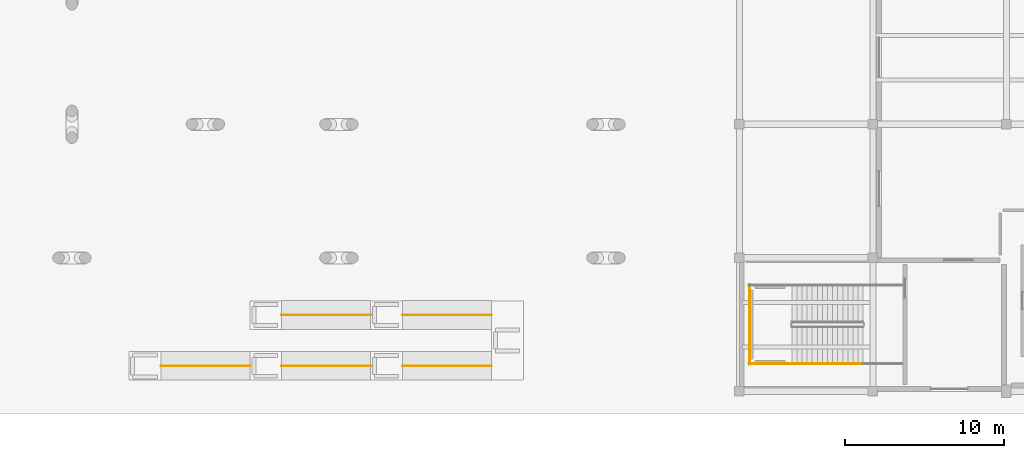
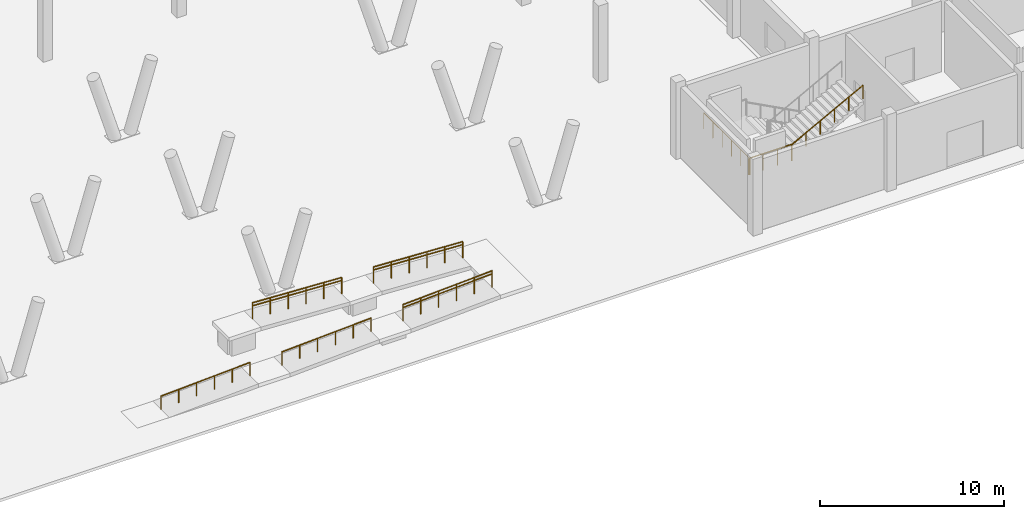
# One storey, part 53 of 64: 11 railings.
"""IFC4 building model written with IfcOpenShell, lengths in metres."""

from ifc_helpers import new_model, si_unit, derived_unit, direction, frame, origin, origin_2d, place, context, subcontext, project, spatial, circle, extrude, material, type_object, element, save


model = new_model("IFC4")

# Units and contexts
model_context = context("Model", 3, precision=1e-05, world=origin(), true_north=direction((0.0, 1.0)))
body_context = subcontext(model_context, "Body", "Model", "MODEL_VIEW")
ifc_project = project(units=[si_unit("LENGTHUNIT", "METRE"), si_unit("AREAUNIT", "SQUARE_METRE"), si_unit("VOLUMEUNIT", "CUBIC_METRE"), si_unit("PLANEANGLEUNIT", "RADIAN"), si_unit("MASSUNIT", "GRAM", prefix="KILO"), derived_unit("THERMALTRANSMITTANCEUNIT", [(si_unit("POWERUNIT", "WATT"), 1), (si_unit("LENGTHUNIT", "METRE"), -2), (si_unit("THERMODYNAMICTEMPERATUREUNIT", "KELVIN"), -1)])], contexts=[model_context])

# Site, building, storey
site_placement = place(None, origin())
site = spatial("IfcSite", under=ifc_project, at=site_placement, CompositionType="ELEMENT")
building_placement = place(site_placement, origin())
building = spatial("IfcBuilding", under=site, at=building_placement, Name="Elbkamm Science Centre", CompositionType="ELEMENT")
storey_placement = place(building_placement, origin())
storey = spatial("IfcBuildingStorey", under=building, at=storey_placement, Name="L00", CompositionType="ELEMENT", Elevation=0.0)

# Railings
ifc_material = material(Name="Stainless steel EN 1.4401", Category="steel")
railing_type_1 = type_object("IfcRailingType", Name="RAIL-GUARD-1100", PredefinedType="GUARDRAIL", material=ifc_material)
railing_1_placement = place(storey_placement, frame((53.699951171875, 1.72998046875, 2.550048828125)))
element("IfcRailing", 1, at=railing_1_placement, inside=storey, type_object=railing_type_1, Name="L00 ST-C6 stair guard 4", PredefinedType="GUARDRAIL", context=body_context, shape_type="SweptSolid", body=[
    extrude(circle(Radius=0.02392578125, at=origin_2d()), frame((0.0, 0.0, 1.078125), z_axis=(-1.0, 0.0, 0.0), x_axis=(0.0, -1.0, 0.0)), (0.0, 0.0, 1.0), 2.699951171875),
    extrude(circle(Radius=0.02001953125, at=origin_2d()), origin(), (0.0, 0.0, 1.0), 1.048095703125),
    extrude(circle(Radius=0.02001953125, at=origin_2d()), frame((-0.89990234375, 0.0, 0.0)), (0.0, 0.0, 1.0), 1.048095703125),
    extrude(circle(Radius=0.02001953125, at=origin_2d()), frame((-1.800048828125, 0.0, 0.0)), (0.0, 0.0, 1.0), 1.048095703125),
    extrude(circle(Radius=0.02001953125, at=origin_2d()), frame((-2.699951171875, 0.0, 0.0)), (0.0, 0.0, 1.0), 1.048095703125),
])
railing_2_placement = place(storey_placement, frame((51.050048828125, 6.719970703125, 2.550048828125)))
element("IfcRailing", 2, at=railing_2_placement, inside=storey, type_object=railing_type_1, Name="L00 ST-C6 stair guard 5", PredefinedType="GUARDRAIL", context=body_context, shape_type="SweptSolid", body=[
    extrude(circle(Radius=0.02392578125, at=origin_2d()), frame((0.0, 0.0, 1.078125), z_axis=(0.0, -1.0, 0.0), x_axis=(1.0, 0.0, 0.0)), (0.0, 0.0, 1.0), 5.0400390625),
    extrude(circle(Radius=0.02001953125, at=origin_2d()), origin(), (0.0, 0.0, 1.0), 1.048095703125),
    extrude(circle(Radius=0.02001953125, at=origin_2d()), frame((0.0, -1.008056640625, 0.0)), (0.0, 0.0, 1.0), 1.048095703125),
    extrude(circle(Radius=0.02001953125, at=origin_2d()), frame((0.0, -2.01611328125, 0.0)), (0.0, 0.0, 1.0), 1.048095703125),
    extrude(circle(Radius=0.02001953125, at=origin_2d()), frame((0.0, -3.02392578125, 0.0)), (0.0, 0.0, 1.0), 1.048095703125),
    extrude(circle(Radius=0.02001953125, at=origin_2d()), frame((0.0, -4.031982421875, 0.0)), (0.0, 0.0, 1.0), 1.048095703125),
    extrude(circle(Radius=0.02001953125, at=origin_2d()), frame((0.0, -5.0400390625, 0.0)), (0.0, 0.0, 1.0), 1.048095703125),
])
railing_3_placement = place(storey_placement, frame((29.199951171875, 1.60009765625, 0.56005859375)))
element("IfcRailing", 3, at=railing_3_placement, inside=storey, type_object=railing_type_1, Name="RMP-03 Edge Guardrail", PredefinedType="GUARDRAIL", context=body_context, shape_type="SweptSolid", body=[
    extrude(circle(Radius=0.02392578125, at=origin_2d()), frame((0.0, 0.0, 1.078125), z_axis=(0.998752121704, 0.0, 0.049941960223), x_axis=(0.0, 1.0, 0.0)), (0.0, 0.0, 1.0), 5.607177734375),
    extrude(circle(Radius=0.02001953125, at=origin_2d()), origin(), (0.0, 0.0, 1.0), 1.048095703125),
    extrude(circle(Radius=0.02001953125, at=origin_2d()), frame((1.1201171875, 0.0, 0.055908203125)), (0.0, 0.0, 1.0), 1.048095703125),
    extrude(circle(Radius=0.02001953125, at=origin_2d()), frame((2.239990234375, 0.0, 0.112060546875)), (0.0, 0.0, 1.0), 1.048095703125),
    extrude(circle(Radius=0.02001953125, at=origin_2d()), frame((3.360107421875, 0.0, 0.16796875)), (0.0, 0.0, 1.0), 1.048095703125),
    extrude(circle(Radius=0.02001953125, at=origin_2d()), frame((4.47998046875, 0.0, 0.22412109375)), (0.0, 0.0, 1.0), 1.048095703125),
    extrude(circle(Radius=0.02001953125, at=origin_2d()), frame((5.60009765625, 0.0, 0.280029296875)), (0.0, 0.0, 1.0), 1.048095703125),
])
railing_4_placement = place(storey_placement, frame((34.800048828125, 4.800048828125, 0.840087890625)))
element("IfcRailing", 4, at=railing_4_placement, inside=storey, type_object=railing_type_1, Name="RMP-04 Edge Guardrail", PredefinedType="GUARDRAIL", context=body_context, shape_type="SweptSolid", body=[
    extrude(circle(Radius=0.02392578125, at=origin_2d()), frame((0.0, 0.0, 1.078125), z_axis=(-0.998752121704, 0.0, 0.049941960223), x_axis=(0.0, -1.0, 0.0)), (0.0, 0.0, 1.0), 5.607177734375),
    extrude(circle(Radius=0.02001953125, at=origin_2d()), origin(), (0.0, 0.0, 1.0), 1.048095703125),
    extrude(circle(Radius=0.02001953125, at=origin_2d()), frame((-1.1201171875, 0.0, 0.055908203125)), (0.0, 0.0, 1.0), 1.048095703125),
    extrude(circle(Radius=0.02001953125, at=origin_2d()), frame((-2.239990234375, 0.0, 0.112060546875)), (0.0, 0.0, 1.0), 1.048095703125),
    extrude(circle(Radius=0.02001953125, at=origin_2d()), frame((-3.360107421875, 0.0, 0.16796875)), (0.0, 0.0, 1.0), 1.048095703125),
    extrude(circle(Radius=0.02001953125, at=origin_2d()), frame((-4.47998046875, 0.0, 0.22412109375)), (0.0, 0.0, 1.0), 1.048095703125),
    extrude(circle(Radius=0.02001953125, at=origin_2d()), frame((-5.60009765625, 0.0, 0.280029296875)), (0.0, 0.0, 1.0), 1.048095703125),
])
railing_5_placement = place(storey_placement, frame((27.199951171875, 4.800048828125, 1.1201171875)))
element("IfcRailing", 5, at=railing_5_placement, inside=storey, type_object=railing_type_1, Name="RMP-05 Edge Guardrail", PredefinedType="GUARDRAIL", context=body_context, shape_type="SweptSolid", body=[
    extrude(circle(Radius=0.02392578125, at=origin_2d()), frame((0.0, 0.0, 1.078125), z_axis=(-0.998754184174, 0.0, 0.049900697348), x_axis=(0.0, -1.0, 0.0)), (0.0, 0.0, 1.0), 5.60693359375),
    extrude(circle(Radius=0.02001953125, at=origin_2d()), origin(), (0.0, 0.0, 1.0), 1.048095703125),
    extrude(circle(Radius=0.02001953125, at=origin_2d()), frame((-1.119873046875, 0.0, 0.055908203125)), (0.0, 0.0, 1.0), 1.048095703125),
    extrude(circle(Radius=0.02001953125, at=origin_2d()), frame((-2.239990234375, 0.0, 0.11181640625)), (0.0, 0.0, 1.0), 1.048095703125),
    extrude(circle(Radius=0.02001953125, at=origin_2d()), frame((-3.35986328125, 0.0, 0.16796875)), (0.0, 0.0, 1.0), 1.048095703125),
    extrude(circle(Radius=0.02001953125, at=origin_2d()), frame((-4.47998046875, 0.0, 0.223876953125)), (0.0, 0.0, 1.0), 1.048095703125),
    extrude(circle(Radius=0.02001953125, at=origin_2d()), frame((-5.599853515625, 0.0, 0.27978515625)), (0.0, 0.0, 1.0), 1.048095703125),
])
railing_type_2 = type_object("IfcRailingType", Name="RAIL-HAND-900", PredefinedType="HANDRAIL", material=ifc_material)
railing_6_placement = place(storey_placement, frame((53.699951171875, 1.72998046875, 2.719970703125)))
element("IfcRailing", 6, at=railing_6_placement, inside=storey, type_object=railing_type_2, Name="L00 ST-C6 stair handrail 2", PredefinedType="HANDRAIL", context=body_context, shape_type="SweptSolid", body=[
    extrude(circle(Radius=0.02392578125, at=origin_2d()), frame((0.0, 0.0, 0.8779296875), z_axis=(0.883104503341, 0.0, 0.469176338042), x_axis=(0.0, 1.0, 0.0)), (0.0, 0.0, 1.0), 5.072998046875),
    extrude(circle(Radius=0.02001953125, at=origin_2d()), origin(), (0.0, 0.0, 1.0), 0.847900390625),
    extrude(circle(Radius=0.02001953125, at=origin_2d()), frame((0.89599609375, 0.0, 0.47607421875)), (0.0, 0.0, 1.0), 0.847900390625),
    extrude(circle(Radius=0.02001953125, at=origin_2d()), frame((1.7919921875, 0.0, 0.9521484375)), (0.0, 0.0, 1.0), 0.847900390625),
    extrude(circle(Radius=0.02001953125, at=origin_2d()), frame((2.68798828125, 0.0, 1.427978515625)), (0.0, 0.0, 1.0), 0.847900390625),
    extrude(circle(Radius=0.02001953125, at=origin_2d()), frame((3.583984375, 0.0, 1.904052734375)), (0.0, 0.0, 1.0), 0.847900390625),
    extrude(circle(Radius=0.02001953125, at=origin_2d()), frame((4.47998046875, 0.0, 2.380126953125)), (0.0, 0.0, 1.0), 0.847900390625),
])
railing_7_placement = place(storey_placement, frame((14.0, 1.60009765625, 0.0)))
element("IfcRailing", 7, at=railing_7_placement, inside=storey, type_object=railing_type_2, Name="RMP-01 Accessible Handrail", PredefinedType="HANDRAIL", context=body_context, shape_type="SweptSolid", body=[
    extrude(circle(Radius=0.02392578125, at=origin_2d()), frame((0.0, 0.0, 0.8779296875), z_axis=(0.998752121704, 0.0, 0.049941960223), x_axis=(0.0, 1.0, 0.0)), (0.0, 0.0, 1.0), 5.607177734375),
    extrude(circle(Radius=0.02001953125, at=origin_2d()), origin(), (0.0, 0.0, 1.0), 0.847900390625),
    extrude(circle(Radius=0.02001953125, at=origin_2d()), frame((1.1201171875, 0.0, 0.055908203125)), (0.0, 0.0, 1.0), 0.847900390625),
    extrude(circle(Radius=0.02001953125, at=origin_2d()), frame((2.239990234375, 0.0, 0.112060546875)), (0.0, 0.0, 1.0), 0.847900390625),
    extrude(circle(Radius=0.02001953125, at=origin_2d()), frame((3.360107421875, 0.0, 0.16796875)), (0.0, 0.0, 1.0), 0.847900390625),
    extrude(circle(Radius=0.02001953125, at=origin_2d()), frame((4.47998046875, 0.0, 0.22412109375)), (0.0, 0.0, 1.0), 0.847900390625),
    extrude(circle(Radius=0.02001953125, at=origin_2d()), frame((5.60009765625, 0.0, 0.280029296875)), (0.0, 0.0, 1.0), 0.847900390625),
])
railing_8_placement = place(storey_placement, frame((21.60009765625, 1.60009765625, 0.280029296875)))
element("IfcRailing", 8, at=railing_8_placement, inside=storey, type_object=railing_type_2, Name="RMP-02 Accessible Handrail", PredefinedType="HANDRAIL", context=body_context, shape_type="SweptSolid", body=[
    extrude(circle(Radius=0.02392578125, at=origin_2d()), frame((0.0, 0.0, 0.8779296875), z_axis=(0.998752013096, 0.0, 0.049944132146), x_axis=(0.0, 1.0, 0.0)), (0.0, 0.0, 1.0), 5.60693359375),
    extrude(circle(Radius=0.02001953125, at=origin_2d()), origin(), (0.0, 0.0, 1.0), 0.847900390625),
    extrude(circle(Radius=0.02001953125, at=origin_2d()), frame((1.119873046875, 0.0, 0.055908203125)), (0.0, 0.0, 1.0), 0.847900390625),
    extrude(circle(Radius=0.02001953125, at=origin_2d()), frame((2.239990234375, 0.0, 0.112060546875)), (0.0, 0.0, 1.0), 0.847900390625),
    extrude(circle(Radius=0.02001953125, at=origin_2d()), frame((3.35986328125, 0.0, 0.16796875)), (0.0, 0.0, 1.0), 0.847900390625),
    extrude(circle(Radius=0.02001953125, at=origin_2d()), frame((4.47998046875, 0.0, 0.22412109375)), (0.0, 0.0, 1.0), 0.847900390625),
    extrude(circle(Radius=0.02001953125, at=origin_2d()), frame((5.599853515625, 0.0, 0.280029296875)), (0.0, 0.0, 1.0), 0.847900390625),
])
railing_9_placement = place(storey_placement, frame((29.199951171875, 1.60009765625, 0.56005859375)))
element("IfcRailing", 9, at=railing_9_placement, inside=storey, type_object=railing_type_2, Name="RMP-03 Accessible Handrail", PredefinedType="HANDRAIL", context=body_context, shape_type="SweptSolid", body=[
    extrude(circle(Radius=0.02392578125, at=origin_2d()), frame((0.0, 0.0, 0.8779296875), z_axis=(0.998752121704, 0.0, 0.049941960223), x_axis=(0.0, 1.0, 0.0)), (0.0, 0.0, 1.0), 5.607177734375),
    extrude(circle(Radius=0.02001953125, at=origin_2d()), origin(), (0.0, 0.0, 1.0), 0.847900390625),
    extrude(circle(Radius=0.02001953125, at=origin_2d()), frame((1.1201171875, 0.0, 0.055908203125)), (0.0, 0.0, 1.0), 0.847900390625),
    extrude(circle(Radius=0.02001953125, at=origin_2d()), frame((2.239990234375, 0.0, 0.112060546875)), (0.0, 0.0, 1.0), 0.847900390625),
    extrude(circle(Radius=0.02001953125, at=origin_2d()), frame((3.360107421875, 0.0, 0.16796875)), (0.0, 0.0, 1.0), 0.847900390625),
    extrude(circle(Radius=0.02001953125, at=origin_2d()), frame((4.47998046875, 0.0, 0.22412109375)), (0.0, 0.0, 1.0), 0.847900390625),
    extrude(circle(Radius=0.02001953125, at=origin_2d()), frame((5.60009765625, 0.0, 0.280029296875)), (0.0, 0.0, 1.0), 0.847900390625),
])
railing_10_placement = place(storey_placement, frame((34.800048828125, 4.800048828125, 0.840087890625)))
element("IfcRailing", 10, at=railing_10_placement, inside=storey, type_object=railing_type_2, Name="RMP-04 Accessible Handrail", PredefinedType="HANDRAIL", context=body_context, shape_type="SweptSolid", body=[
    extrude(circle(Radius=0.02392578125, at=origin_2d()), frame((0.0, 0.0, 0.8779296875), z_axis=(-0.998752121704, 0.0, 0.049941960223), x_axis=(0.0, -1.0, 0.0)), (0.0, 0.0, 1.0), 5.607177734375),
    extrude(circle(Radius=0.02001953125, at=origin_2d()), origin(), (0.0, 0.0, 1.0), 0.847900390625),
    extrude(circle(Radius=0.02001953125, at=origin_2d()), frame((-1.1201171875, 0.0, 0.055908203125)), (0.0, 0.0, 1.0), 0.847900390625),
    extrude(circle(Radius=0.02001953125, at=origin_2d()), frame((-2.239990234375, 0.0, 0.112060546875)), (0.0, 0.0, 1.0), 0.847900390625),
    extrude(circle(Radius=0.02001953125, at=origin_2d()), frame((-3.360107421875, 0.0, 0.16796875)), (0.0, 0.0, 1.0), 0.847900390625),
    extrude(circle(Radius=0.02001953125, at=origin_2d()), frame((-4.47998046875, 0.0, 0.22412109375)), (0.0, 0.0, 1.0), 0.847900390625),
    extrude(circle(Radius=0.02001953125, at=origin_2d()), frame((-5.60009765625, 0.0, 0.280029296875)), (0.0, 0.0, 1.0), 0.847900390625),
])
railing_11_placement = place(storey_placement, frame((27.199951171875, 4.800048828125, 1.1201171875)))
element("IfcRailing", 11, at=railing_11_placement, inside=storey, type_object=railing_type_2, Name="RMP-05 Accessible Handrail", PredefinedType="HANDRAIL", context=body_context, shape_type="SweptSolid", body=[
    extrude(circle(Radius=0.02392578125, at=origin_2d()), frame((0.0, 0.0, 0.8779296875), z_axis=(-0.998754184174, 0.0, 0.049900697348), x_axis=(0.0, -1.0, 0.0)), (0.0, 0.0, 1.0), 5.60693359375),
    extrude(circle(Radius=0.02001953125, at=origin_2d()), origin(), (0.0, 0.0, 1.0), 0.847900390625),
    extrude(circle(Radius=0.02001953125, at=origin_2d()), frame((-1.119873046875, 0.0, 0.055908203125)), (0.0, 0.0, 1.0), 0.847900390625),
    extrude(circle(Radius=0.02001953125, at=origin_2d()), frame((-2.239990234375, 0.0, 0.11181640625)), (0.0, 0.0, 1.0), 0.847900390625),
    extrude(circle(Radius=0.02001953125, at=origin_2d()), frame((-3.35986328125, 0.0, 0.16796875)), (0.0, 0.0, 1.0), 0.847900390625),
    extrude(circle(Radius=0.02001953125, at=origin_2d()), frame((-4.47998046875, 0.0, 0.223876953125)), (0.0, 0.0, 1.0), 0.847900390625),
    extrude(circle(Radius=0.02001953125, at=origin_2d()), frame((-5.599853515625, 0.0, 0.27978515625)), (0.0, 0.0, 1.0), 0.847900390625),
])

save(model, "model.ifc")
